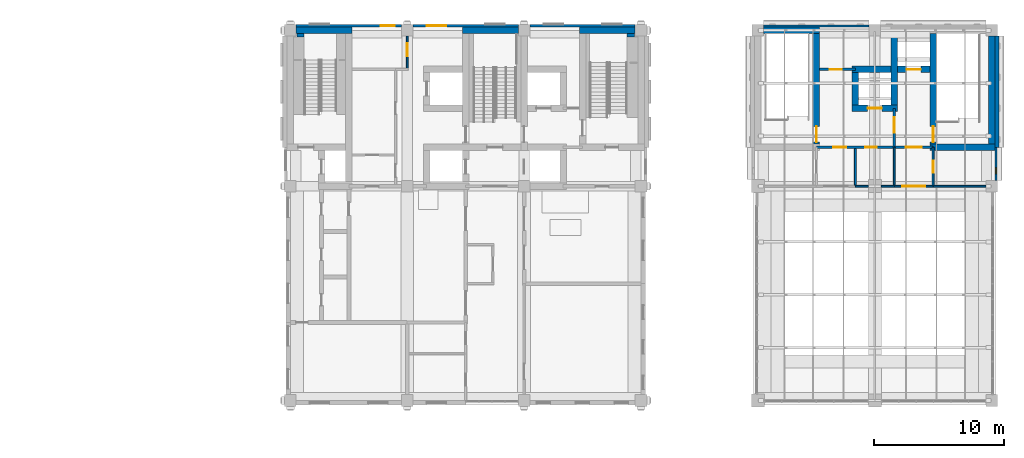
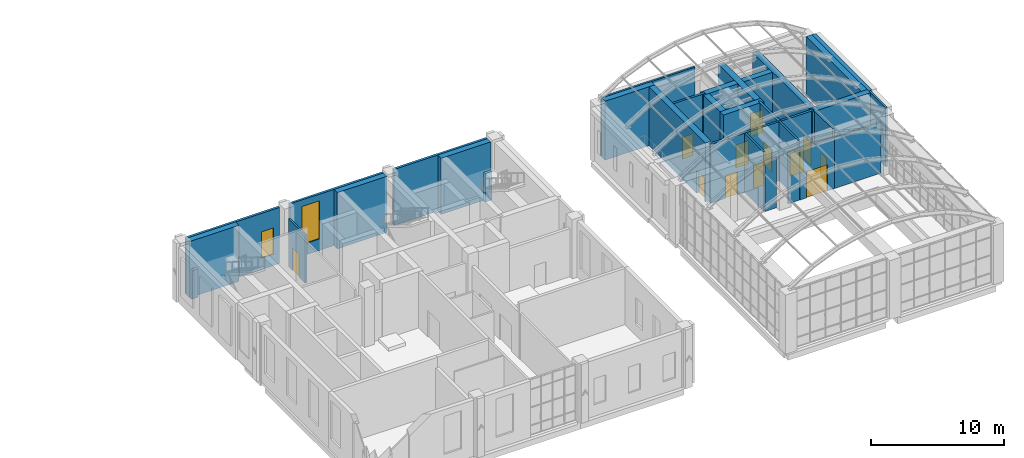
# One storey, part 30 of 39: 32 walls, 12 doors, 3 windows, 15 openings.
"""IFC4 building model written with IfcOpenShell, lengths in metres."""

from ifc_helpers import new_model, si_unit, direction, frame, frame_2d, origin, place, context, subcontext, project, spatial, rectangle, extrude, material, layer, layer_set, type_object, element, fill, save


model = new_model("IFC4")

# Units and contexts
model_context = context("Model", 3, precision=1e-05, world=origin(), true_north=direction((0.0, 1.0)))
body_context = subcontext(model_context, "Body", "Model", "MODEL_VIEW")
ifc_project = project(units=[si_unit("LENGTHUNIT", "METRE"), si_unit("AREAUNIT", "SQUARE_METRE"), si_unit("VOLUMEUNIT", "CUBIC_METRE"), si_unit("PLANEANGLEUNIT", "RADIAN"), si_unit("MASSUNIT", "GRAM", prefix="KILO")], contexts=[model_context])

# Site, building, storey
site_placement = place(None, origin())
site = spatial("IfcSite", under=ifc_project, at=site_placement, CompositionType="ELEMENT")
building_placement = place(site_placement, origin())
building = spatial("IfcBuilding", under=site, at=building_placement, Name="Aurelan Courthouse", CompositionType="ELEMENT")
storey_placement = place(building_placement, frame((0.0, 0.0, 28.199951171875)))
storey = spatial("IfcBuildingStorey", under=building, at=storey_placement, Name="L05", CompositionType="ELEMENT", Elevation=28.199951171875)

# Wall, opening, door
ifc_material_1 = material(Name="Gypsum board on metal studs")
ifc_layer_1 = layer(ifc_material_1, 0.14990234375)
ifc_layer_set_1 = layer_set([ifc_layer_1], Name="Gypsum board on metal studs")
wall_type_1 = type_object("IfcWallType", Name="Corridor partition 150 EI 60", PredefinedType="PARTITIONING", material=ifc_layer_set_1)
wall_1_placement = place(storey_placement, frame((82.5, 54.0, 0.0), z_axis=(0.0, 0.0, 1.0), x_axis=(1.0, 0.0, 0.0)))
wall_1 = element("IfcWall", 1, at=wall_1_placement, inside=storey, type_object=wall_type_1, Name="Corridor partition L05-030", PredefinedType="PARTITIONING", context=body_context, shape_type="SweptSolid", body=[
    extrude(rectangle(XDim=3.0, YDim=0.14990234375, at=frame_2d((1.5, 0.0))), origin(), (0.0, 0.0, 1.0), 4.650146484375),
])
opening_1_placement = place(wall_1_placement, frame((2.400146484375, 0.0, 0.0), z_axis=(0.0, 0.0, 1.0), x_axis=(-1.0, 0.0, 0.0)))
opening_1 = element("IfcOpeningElement", 2, at=opening_1_placement, cuts=wall_1, Name="Opening D-L05-045", PredefinedType="OPENING", context=body_context, shape_type="SweptSolid", body=[
    extrude(rectangle(XDim=1.800048828125, YDim=2.39990234375, at=frame_2d((0.89990234375, 1.199951171875))), frame((0.0, 0.0849609375, 0.0), z_axis=(0.0, -1.0, 0.0), x_axis=(1.0, 0.0, 0.0)), (0.0, 0.0, 1.0), 0.169921875),
])
ifc_material_2 = material(Name="Steel", Category="steel")
door_type_1 = type_object("IfcDoorType", Name="Double door 1800 x 2400 FD60", OperationType="DOUBLE_DOOR_SINGLE_SWING", PredefinedType="DOOR", material=ifc_material_2)
door_1_placement = place(opening_1_placement, origin())
door_1 = element("IfcDoor", 3, at=door_1_placement, inside=storey, type_object=door_type_1, Name="Double door D-L05-045", OperationType="DOUBLE_DOOR_SINGLE_SWING", OverallHeight=2.39990234375, OverallWidth=1.800048828125, PredefinedType="DOOR", context=body_context, shape_type="SweptSolid", body=[
    extrude(rectangle(XDim=1.800048828125, YDim=2.39990234375, at=frame_2d((0.89990234375, 1.199951171875))), frame((0.0, 0.02490234375, 0.0), z_axis=(0.0, -1.0, 0.0), x_axis=(1.0, 0.0, 0.0)), (0.0, 0.0, 1.0), 0.050048828125),
])
fill(opening_1, door_1)

wall_2_placement = place(storey_placement, frame((45.0, 63.074951171875, 0.0), z_axis=(0.0, 0.0, 1.0), x_axis=(0.0, 1.0, 0.0)))
wall_2 = element("IfcWall", 4, at=wall_2_placement, inside=storey, type_object=wall_type_1, Name="Corridor partition L05-054", PredefinedType="PARTITIONING", context=body_context, shape_type="SweptSolid", body=[
    extrude(rectangle(XDim=2.47509765625, YDim=0.14990234375, at=frame_2d((1.237548828125, 0.0))), origin(), (0.0, 0.0, 1.0), 4.400146484375),
])
opening_2_placement = place(wall_2_placement, frame((0.925048828125, 0.0, 0.0)))
opening_2 = element("IfcOpeningElement", 5, at=opening_2_placement, cuts=wall_2, Name="Opening D-L05-029", PredefinedType="OPENING", context=body_context, shape_type="SweptSolid", body=[
    extrude(rectangle(XDim=1.0, YDim=2.10009765625, at=frame_2d((0.5, 1.050048828125))), frame((0.0, 0.0849609375, 0.0), z_axis=(0.0, -1.0, 0.0), x_axis=(1.0, 0.0, 0.0)), (0.0, 0.0, 1.0), 0.169921875),
])
door_type_2 = type_object("IfcDoorType", Name="Single door 1000 x 2100 FD60", OperationType="SINGLE_SWING_LEFT", PredefinedType="DOOR", material=ifc_material_2)
door_2_placement = place(opening_2_placement, origin())
door_2 = element("IfcDoor", 6, at=door_2_placement, inside=storey, type_object=door_type_2, Name="Single door D-L05-029", OperationType="SINGLE_SWING_LEFT", OverallHeight=2.10009765625, OverallWidth=1.0, PredefinedType="DOOR", context=body_context, shape_type="SweptSolid", body=[
    extrude(rectangle(XDim=1.0, YDim=2.10009765625, at=frame_2d((0.5, 1.050048828125))), frame((0.0, 0.02490234375, 0.0), z_axis=(0.0, -1.0, 0.0), x_axis=(1.0, 0.0, 0.0)), (0.0, 0.0, 1.0), 0.050048828125),
])
fill(opening_2, door_2)

# Walls
wall_3_placement = place(storey_placement, frame((79.5, 54.0625, 0.0), z_axis=(0.0, 0.0, 1.0), x_axis=(0.0, 1.0, 0.0)))
element("IfcWall", 7, at=wall_3_placement, inside=storey, type_object=wall_type_1, Name="Corridor partition L05-061", PredefinedType="PARTITIONING", context=body_context, shape_type="SweptSolid", body=[
    extrude(rectangle(XDim=2.83740234375, YDim=0.14990234375, at=frame_2d((1.418701171875, 0.0))), origin(), (0.0, 0.0, 1.0), 5.400146484375),
])
wall_4_placement = place(storey_placement, frame((82.5, 54.0625, 0.0), z_axis=(0.0, 0.0, 1.0), x_axis=(0.0, 1.0, 0.0)))
element("IfcWall", 8, at=wall_4_placement, inside=storey, type_object=wall_type_1, Name="Corridor partition L05-062", PredefinedType="PARTITIONING", context=body_context, shape_type="SweptSolid", body=[
    extrude(rectangle(XDim=2.9375, YDim=0.14990234375, at=frame_2d((1.46875, 0.0))), origin(), (0.0, 0.0, 1.0), 5.400146484375),
])

# Wall, opening, door
wall_5_placement = place(storey_placement, frame((85.5, 54.0625, 0.0), z_axis=(0.0, 0.0, 1.0), x_axis=(0.0, 1.0, 0.0)))
wall_5 = element("IfcWall", 9, at=wall_5_placement, inside=storey, type_object=wall_type_1, Name="Corridor partition L05-064", PredefinedType="PARTITIONING", context=body_context, shape_type="SweptSolid", body=[
    extrude(rectangle(XDim=2.9375, YDim=0.14990234375, at=frame_2d((1.46875, 0.0))), origin(), (0.0, 0.0, 1.0), 5.400146484375),
])
opening_3_placement = place(wall_5_placement, frame((1.887451171875, 0.0, 0.0), z_axis=(0.0, 0.0, 1.0), x_axis=(-1.0, 0.0, 0.0)))
opening_3 = element("IfcOpeningElement", 10, at=opening_3_placement, cuts=wall_5, Name="Opening D-L05-043", PredefinedType="OPENING", context=body_context, shape_type="SweptSolid", body=[
    extrude(rectangle(XDim=0.89990234375, YDim=2.10009765625, at=frame_2d((0.449951171875, 1.050048828125))), frame((0.0, 0.0849609375, 0.0), z_axis=(0.0, -1.0, 0.0), x_axis=(1.0, 0.0, 0.0)), (0.0, 0.0, 1.0), 0.169921875),
])
door_type_3 = type_object("IfcDoorType", Name="Single door 900 x 2100 FD60", OperationType="SINGLE_SWING_LEFT", PredefinedType="DOOR", material=ifc_material_2)
door_3_placement = place(opening_3_placement, origin())
door_3 = element("IfcDoor", 11, at=door_3_placement, inside=storey, type_object=door_type_3, Name="Single door D-L05-043", OperationType="SINGLE_SWING_LEFT", OverallHeight=2.10009765625, OverallWidth=0.89990234375, PredefinedType="DOOR", context=body_context, shape_type="SweptSolid", body=[
    extrude(rectangle(XDim=0.89990234375, YDim=2.10009765625, at=frame_2d((0.449951171875, 1.050048828125))), frame((0.0, 0.02490234375, 0.0), z_axis=(0.0, -1.0, 0.0), x_axis=(1.0, 0.0, 0.0)), (0.0, 0.0, 1.0), 0.050048828125),
])
fill(opening_3, door_3)

# Wall, opening, window
ifc_material_3 = material(Name="Limestone cladding", Category="masonry")
ifc_layer_2 = layer(ifc_material_3, 0.054931640625, Name="Facing")
ifc_material_4 = material(Name="Ventilated cavity")
ifc_layer_3 = layer(ifc_material_4, 0.02490234375, ventilated=True, Name="Ventilated cavity")
ifc_material_5 = material(Name="Mineral wool insulation")
ifc_layer_4 = layer(ifc_material_5, 0.030029296875, Name="Insulation")
ifc_material_6 = material(Name="Concrete C30", Category="concrete")
ifc_layer_5 = layer(ifc_material_6, 0.090087890625, Name="Structure")
ifc_layer_set_2 = layer_set([ifc_layer_2, ifc_layer_3, ifc_layer_4, ifc_layer_5], Name="Concrete C30")
wall_type_2 = type_object("IfcWallType", Name="Courtroom Block stone-faced wall 200", PredefinedType="SOLIDWALL", material=ifc_layer_set_2)
wall_6_placement = place(storey_placement, frame((36.449951171875, 66.35009765625, 0.0), z_axis=(0.0, 0.0, 1.0), x_axis=(1.0, 0.0, 0.0)))
wall_6 = element("IfcWall", 12, at=wall_6_placement, inside=storey, type_object=wall_type_2, Name="Facade wall FW-V2-L05-004", PredefinedType="SOLIDWALL", context=body_context, shape_type="SweptSolid", body=[
    extrude(rectangle(XDim=8.10009765625, YDim=0.199951171875, at=frame_2d((4.050048828125, 0.0))), origin(), (0.0, 0.0, 1.0), 5.150146484375),
])
opening_4_placement = place(wall_6_placement, frame((6.52490234375, 0.0, 1.050048828125)))
opening_4 = element("IfcOpeningElement", 13, at=opening_4_placement, cuts=wall_6, Name="Opening WN-V2-L05-007", PredefinedType="OPENING", context=body_context, shape_type="SweptSolid", body=[
    extrude(rectangle(XDim=1.050048828125, YDim=2.39990234375, at=frame_2d((0.52490234375, 1.199951171875))), frame((0.0, 0.10986328125, 0.0), z_axis=(0.0, -1.0, 0.0), x_axis=(1.0, 0.0, 0.0)), (0.0, 0.0, 1.0), 0.219970703125),
])
ifc_material_7 = material(Name="Bronze-finished aluminium and glass", Category="aluminium")
window_type_1 = type_object("IfcWindowType", Name="Courtroom Block window 1050 x 2400, sill 1050", PartitioningType="SINGLE_PANEL", PredefinedType="WINDOW", material=ifc_material_7)
window_1_placement = place(opening_4_placement, origin())
window_1 = element("IfcWindow", 14, at=window_1_placement, inside=storey, type_object=window_type_1, Name="Window WN-V2-L05-007", OverallHeight=2.39990234375, OverallWidth=1.050048828125, PartitioningType="SINGLE_PANEL", PredefinedType="WINDOW", context=body_context, shape_type="SweptSolid", body=[
    extrude(rectangle(XDim=1.050048828125, YDim=2.39990234375, at=frame_2d((0.52490234375, 1.199951171875))), frame((0.0, 0.030029296875, 0.0), z_axis=(0.0, -1.0, 0.0), x_axis=(1.0, 0.0, 0.0)), (0.0, 0.0, 1.0), 0.06005859375),
])
fill(opening_4, window_1)

wall_7_placement = place(storey_placement, frame((45.449951171875, 66.35009765625, 0.0), z_axis=(0.0, 0.0, 1.0), x_axis=(1.0, 0.0, 0.0)))
wall_7 = element("IfcWall", 15, at=wall_7_placement, inside=storey, type_object=wall_type_2, Name="Facade wall FW-V2-L05-005", PredefinedType="SOLIDWALL", context=body_context, shape_type="SweptSolid", body=[
    extrude(rectangle(XDim=8.10009765625, YDim=0.199951171875, at=frame_2d((4.050048828125, 0.0))), origin(), (0.0, 0.0, 1.0), 5.150146484375),
])
opening_5_placement = place(wall_7_placement, frame((1.050048828125, 0.0, 1.050048828125)))
opening_5 = element("IfcOpeningElement", 16, at=opening_5_placement, cuts=wall_7, Name="Opening WN-V2-L05-008", PredefinedType="OPENING", context=body_context, shape_type="SweptSolid", body=[
    extrude(rectangle(XDim=1.5, YDim=3.5, at=frame_2d((0.75, 1.75))), frame((0.0, 0.10986328125, 0.0), z_axis=(0.0, -1.0, 0.0), x_axis=(1.0, 0.0, 0.0)), (0.0, 0.0, 1.0), 0.219970703125),
])
window_type_2 = type_object("IfcWindowType", Name="Courtroom Block glazed slot 1500 x 3500, sill 1050", PartitioningType="SINGLE_PANEL", PredefinedType="WINDOW", material=ifc_material_7)
window_2_placement = place(opening_5_placement, origin())
window_2 = element("IfcWindow", 17, at=window_2_placement, inside=storey, type_object=window_type_2, Name="Glazed slot WN-V2-L05-008", OverallHeight=3.5, OverallWidth=1.5, PartitioningType="SINGLE_PANEL", PredefinedType="WINDOW", context=body_context, shape_type="SweptSolid", body=[
    extrude(rectangle(XDim=1.5, YDim=3.5, at=frame_2d((0.75, 1.75))), frame((0.0, 0.030029296875, 0.0), z_axis=(0.0, -1.0, 0.0), x_axis=(1.0, 0.0, 0.0)), (0.0, 0.0, 1.0), 0.06005859375),
])
fill(opening_5, window_2)

# Walls
wall_8_placement = place(storey_placement, frame((54.449951171875, 66.35009765625, 0.0), z_axis=(0.0, 0.0, 1.0), x_axis=(1.0, 0.0, 0.0)))
element("IfcWall", 18, at=wall_8_placement, inside=storey, type_object=wall_type_2, Name="Facade wall FW-V2-L05-006", PredefinedType="SOLIDWALL", context=body_context, shape_type="SweptSolid", body=[
    extrude(rectangle(XDim=8.10009765625, YDim=0.199951171875, at=frame_2d((4.050048828125, 0.0))), origin(), (0.0, 0.0, 1.0), 5.150146484375),
])
ifc_layer_6 = layer(ifc_material_3, 0.050048828125, Name="Facing")
ifc_layer_7 = layer(ifc_material_4, 0.02490234375, ventilated=True, Name="Ventilated cavity")
ifc_layer_8 = layer(ifc_material_5, 0.02490234375, Name="Insulation")
ifc_layer_9 = layer(ifc_material_6, 0.070068359375, Name="Structure")
ifc_layer_set_3 = layer_set([ifc_layer_6, ifc_layer_7, ifc_layer_8, ifc_layer_9], Name="Concrete C30")
wall_type_3 = type_object("IfcWallType", Name="Law Library stone-faced wall 170", PredefinedType="SOLIDWALL", material=ifc_layer_set_3)
wall_9_placement = place(storey_placement, frame((72.449951171875, 66.3349609375, 0.0), z_axis=(0.0, 0.0, 1.0), x_axis=(1.0, 0.0, 0.0)))
element("IfcWall", 19, at=wall_9_placement, inside=storey, type_object=wall_type_3, Name="Facade wall FW-V3-L05-001", PredefinedType="SOLIDWALL", context=body_context, shape_type="SweptSolid", body=[
    extrude(rectangle(XDim=8.10009765625, YDim=0.169921875, at=frame_2d((4.050048828125, 0.0))), origin(), (0.0, 0.0, 1.0), 5.400146484375),
])

# Wall, opening, window
wall_10_placement = place(storey_placement, frame((90.3349609375, 54.449951171875, 0.0), z_axis=(0.0, 0.0, 1.0), x_axis=(0.0, 1.0, 0.0)))
wall_10 = element("IfcWall", 20, at=wall_10_placement, inside=storey, type_object=wall_type_3, Name="Facade wall FW-V3-L05-003", PredefinedType="SOLIDWALL", context=body_context, shape_type="SweptSolid", body=[
    extrude(rectangle(XDim=2.550048828125, YDim=0.169921875, at=frame_2d((1.27490234375, 0.0))), origin(), (0.0, 0.0, 1.0), 5.400146484375),
])
opening_6_placement = place(wall_10_placement, frame((0.52490234375, 0.0, 1.5)))
opening_6 = element("IfcOpeningElement", 21, at=opening_6_placement, cuts=wall_10, Name="Opening WN-V3-L05-001", PredefinedType="OPENING", context=body_context, shape_type="SweptSolid", body=[
    extrude(rectangle(XDim=0.449951171875, YDim=2.10009765625, at=frame_2d((0.22509765625, 1.050048828125))), frame((0.0, 0.094970703125, 0.0), z_axis=(0.0, -1.0, 0.0), x_axis=(1.0, 0.0, 0.0)), (0.0, 0.0, 1.0), 0.18994140625),
])
window_type_3 = type_object("IfcWindowType", Name="Law Library slit window 450 x 2100, sill 1500", PartitioningType="SINGLE_PANEL", PredefinedType="WINDOW", material=ifc_material_7)
window_3_placement = place(opening_6_placement, origin())
window_3 = element("IfcWindow", 22, at=window_3_placement, inside=storey, type_object=window_type_3, Name="Slit window WN-V3-L05-001", OverallHeight=2.10009765625, OverallWidth=0.449951171875, PartitioningType="SINGLE_PANEL", PredefinedType="WINDOW", context=body_context, shape_type="SweptSolid", body=[
    extrude(rectangle(XDim=0.449951171875, YDim=2.10009765625, at=frame_2d((0.22509765625, 1.050048828125))), frame((0.0, 0.030029296875, 0.0), z_axis=(0.0, -1.0, 0.0), x_axis=(1.0, 0.0, 0.0)), (0.0, 0.0, 1.0), 0.06005859375),
])
fill(opening_6, window_3)

# Wall
ifc_layer_10 = layer(ifc_material_3, 0.090087890625, Name="Facing")
ifc_layer_11 = layer(ifc_material_4, 0.02490234375, ventilated=True, Name="Ventilated cavity")
ifc_layer_12 = layer(ifc_material_5, 0.044921875, Name="Insulation")
ifc_layer_13 = layer(ifc_material_6, 0.159912109375, Name="Structure")
ifc_layer_set_4 = layer_set([ifc_layer_10, ifc_layer_11, ifc_layer_12, ifc_layer_13], Name="Concrete C30")
wall_type_4 = type_object("IfcWallType", Name="Law Library stone-faced wall 320", PredefinedType="SOLIDWALL", material=ifc_layer_set_4)
wall_11_placement = place(storey_placement, frame((90.409912109375, 57.0, 0.0), z_axis=(0.0, 0.0, 1.0), x_axis=(0.0, 1.0, 0.0)))
element("IfcWall", 23, at=wall_11_placement, inside=storey, type_object=wall_type_4, Name="Facade wall FW-V3-L05-004", PredefinedType="SOLIDWALL", context=body_context, shape_type="SweptSolid", body=[
    extrude(rectangle(XDim=8.550048828125, YDim=0.320068359375, at=frame_2d((4.27490234375, 0.0))), origin(), (0.0, 0.0, 1.0), 5.400146484375),
])

# Wall, openings, doors
ifc_material_8 = material(Name="Masonry block", Category="masonry")
ifc_layer_14 = layer(ifc_material_8, 0.199951171875)
ifc_layer_set_5 = layer_set([ifc_layer_14], Name="Masonry block")
wall_type_5 = type_object("IfcWallType", Name="Lift lobby wall 200 EI 60", PredefinedType="PARTITIONING", material=ifc_layer_set_5)
wall_12_placement = place(storey_placement, frame((76.5, 57.0, 0.0), z_axis=(0.0, 0.0, 1.0), x_axis=(1.0, 0.0, 0.0)))
wall_12 = element("IfcWall", 24, at=wall_12_placement, inside=storey, type_object=wall_type_5, Name="Lift lobby wall L05-034", PredefinedType="PARTITIONING", context=body_context, shape_type="SweptSolid", body=[
    extrude(rectangle(XDim=6.0, YDim=0.199951171875, at=frame_2d((3.0, 0.0))), origin(), (0.0, 0.0, 1.0), 5.400146484375),
])
opening_7_placement = place(wall_12_placement, frame((4.64990234375, 0.0, 0.0), z_axis=(0.0, 0.0, 1.0), x_axis=(-1.0, 0.0, 0.0)))
opening_7 = element("IfcOpeningElement", 25, at=opening_7_placement, cuts=wall_12, Name="Opening D-L05-039", PredefinedType="OPENING", context=body_context, shape_type="SweptSolid", body=[
    extrude(rectangle(XDim=0.89990234375, YDim=2.10009765625, at=frame_2d((0.449951171875, 1.050048828125))), frame((0.0, 0.10986328125, 0.0), z_axis=(0.0, -1.0, 0.0), x_axis=(1.0, 0.0, 0.0)), (0.0, 0.0, 1.0), 0.219970703125),
])
opening_8_placement = place(wall_12_placement, frame((1.300048828125, 0.0, 0.0)))
opening_8 = element("IfcOpeningElement", 26, at=opening_8_placement, cuts=wall_12, Name="Opening D-L05-040", PredefinedType="OPENING", context=body_context, shape_type="SweptSolid", body=[
    extrude(rectangle(XDim=1.0, YDim=2.10009765625, at=frame_2d((0.5, 1.050048828125))), frame((0.0, 0.10986328125, 0.0), z_axis=(0.0, -1.0, 0.0), x_axis=(1.0, 0.0, 0.0)), (0.0, 0.0, 1.0), 0.219970703125),
])
door_4_placement = place(opening_8_placement, origin())
door_4 = element("IfcDoor", 27, at=door_4_placement, inside=storey, type_object=door_type_2, Name="Single door D-L05-040", OperationType="SINGLE_SWING_LEFT", OverallHeight=2.10009765625, OverallWidth=1.0, PredefinedType="DOOR", context=body_context, shape_type="SweptSolid", body=[
    extrude(rectangle(XDim=1.0, YDim=2.10009765625, at=frame_2d((0.5, 1.050048828125))), frame((0.0, 0.02490234375, 0.0), z_axis=(0.0, -1.0, 0.0), x_axis=(1.0, 0.0, 0.0)), (0.0, 0.0, 1.0), 0.050048828125),
])
fill(opening_8, door_4)
door_5_placement = place(opening_7_placement, origin())
door_5 = element("IfcDoor", 28, at=door_5_placement, inside=storey, type_object=door_type_3, Name="Single door D-L05-039", OperationType="SINGLE_SWING_RIGHT", OverallHeight=2.10009765625, OverallWidth=0.89990234375, PredefinedType="DOOR", context=body_context, shape_type="SweptSolid", body=[
    extrude(rectangle(XDim=0.89990234375, YDim=2.10009765625, at=frame_2d((0.449951171875, 1.050048828125))), frame((0.0, 0.02490234375, 0.0), z_axis=(0.0, -1.0, 0.0), x_axis=(1.0, 0.0, 0.0)), (0.0, 0.0, 1.0), 0.050048828125),
])
fill(opening_7, door_5)

# Wall, opening, door
wall_13_placement = place(storey_placement, frame((82.5, 57.0, 0.0), z_axis=(0.0, 0.0, 1.0), x_axis=(1.0, 0.0, 0.0)))
wall_13 = element("IfcWall", 29, at=wall_13_placement, inside=storey, type_object=wall_type_5, Name="Lift lobby wall L05-035", PredefinedType="PARTITIONING", context=body_context, shape_type="SweptSolid", body=[
    extrude(rectangle(XDim=3.0, YDim=0.199951171875, at=frame_2d((1.5, 0.0))), origin(), (0.0, 0.0, 1.0), 5.400146484375),
])
opening_9_placement = place(wall_13_placement, frame((0.89990234375, 0.0, 0.0)))
opening_9 = element("IfcOpeningElement", 30, at=opening_9_placement, cuts=wall_13, Name="Opening D-L05-041", PredefinedType="OPENING", context=body_context, shape_type="SweptSolid", body=[
    extrude(rectangle(XDim=1.199951171875, YDim=2.10009765625, at=frame_2d((0.60009765625, 1.050048828125))), frame((0.0, 0.10986328125, 0.0), z_axis=(0.0, -1.0, 0.0), x_axis=(1.0, 0.0, 0.0)), (0.0, 0.0, 1.0), 0.219970703125),
])
door_type_4 = type_object("IfcDoorType", Name="Single door 1200 x 2100 FD60", OperationType="SINGLE_SWING_LEFT", PredefinedType="DOOR", material=ifc_material_2)
door_6_placement = place(opening_9_placement, origin())
door_6 = element("IfcDoor", 31, at=door_6_placement, inside=storey, type_object=door_type_4, Name="Single door D-L05-041", OperationType="SINGLE_SWING_RIGHT", OverallHeight=2.10009765625, OverallWidth=1.199951171875, PredefinedType="DOOR", context=body_context, shape_type="SweptSolid", body=[
    extrude(rectangle(XDim=1.199951171875, YDim=2.10009765625, at=frame_2d((0.60009765625, 1.050048828125))), frame((0.0, 0.02490234375, 0.0), z_axis=(0.0, -1.0, 0.0), x_axis=(1.0, 0.0, 0.0)), (0.0, 0.0, 1.0), 0.050048828125),
])
fill(opening_9, door_6)

wall_14_placement = place(storey_placement, frame((82.5, 57.0, 0.0), z_axis=(0.0, 0.0, 1.0), x_axis=(0.0, 1.0, 0.0)))
wall_14 = element("IfcWall", 32, at=wall_14_placement, inside=storey, type_object=wall_type_5, Name="Lift lobby wall L05-063", PredefinedType="PARTITIONING", context=body_context, shape_type="SweptSolid", body=[
    extrude(rectangle(XDim=3.0, YDim=0.199951171875, at=frame_2d((1.5, 0.0))), origin(), (0.0, 0.0, 1.0), 5.400146484375),
])
opening_10_placement = place(wall_14_placement, frame((2.300048828125, 0.0, 0.0), z_axis=(0.0, 0.0, 1.0), x_axis=(-1.0, 0.0, 0.0)))
opening_10 = element("IfcOpeningElement", 33, at=opening_10_placement, cuts=wall_14, Name="Opening D-L05-034", PredefinedType="OPENING", context=body_context, shape_type="SweptSolid", body=[
    extrude(rectangle(XDim=1.199951171875, YDim=2.10009765625, at=frame_2d((0.60009765625, 1.050048828125))), frame((0.0, 0.10986328125, 0.0), z_axis=(0.0, -1.0, 0.0), x_axis=(1.0, 0.0, 0.0)), (0.0, 0.0, 1.0), 0.219970703125),
])
door_7_placement = place(opening_10_placement, origin())
door_7 = element("IfcDoor", 34, at=door_7_placement, inside=storey, type_object=door_type_4, Name="Single door D-L05-034", OperationType="SINGLE_SWING_LEFT", OverallHeight=2.10009765625, OverallWidth=1.199951171875, PredefinedType="DOOR", context=body_context, shape_type="SweptSolid", body=[
    extrude(rectangle(XDim=1.199951171875, YDim=2.10009765625, at=frame_2d((0.60009765625, 1.050048828125))), frame((0.0, 0.02490234375, 0.0), z_axis=(0.0, -1.0, 0.0), x_axis=(1.0, 0.0, 0.0)), (0.0, 0.0, 1.0), 0.050048828125),
])
fill(opening_10, door_7)

# Wall
ifc_material_9 = material(Name="Concrete C50", Category="concrete")
ifc_layer_15 = layer(ifc_material_9, 0.5)
ifc_layer_set_6 = layer_set([ifc_layer_15], Name="Concrete C50")
wall_type_6 = type_object("IfcWallType", Name="RC shear wall 500", PredefinedType="SHEAR", material=ifc_layer_set_6)
wall_15_placement = place(storey_placement, frame((85.25, 57.0, 0.0), z_axis=(0.0, 0.0, 1.0), x_axis=(1.0, 0.0, 0.0)))
element("IfcWall", 35, at=wall_15_placement, inside=storey, type_object=wall_type_6, Name="Core wall SW-L05-029", PredefinedType="SHEAR", context=body_context, shape_type="SweptSolid", body=[
    extrude(rectangle(XDim=5.0, YDim=0.5, at=frame_2d((2.5, 0.0))), origin(), (0.0, 0.0, 1.0), 5.400146484375),
])

# Wall, opening, door
wall_16_placement = place(storey_placement, frame((76.5, 57.25, 0.0), z_axis=(0.0, 0.0, 1.0), x_axis=(0.0, 1.0, 0.0)))
wall_16 = element("IfcWall", 36, at=wall_16_placement, inside=storey, type_object=wall_type_6, Name="Core wall SW-L05-034", PredefinedType="SHEAR", context=body_context, shape_type="SweptSolid", body=[
    extrude(rectangle(XDim=8.5, YDim=0.5, at=frame_2d((4.25, 0.0))), origin(), (0.0, 0.0, 1.0), 5.400146484375),
])
opening_11_placement = place(wall_16_placement, frame((0.14990234375, 0.0, 0.0)))
opening_11 = element("IfcOpeningElement", 37, at=opening_11_placement, cuts=wall_16, Name="Opening D-L05-033", PredefinedType="OPENING", context=body_context, shape_type="SweptSolid", body=[
    extrude(rectangle(XDim=1.199951171875, YDim=2.10009765625, at=frame_2d((0.60009765625, 1.050048828125))), frame((0.0, 0.260009765625, 0.0), z_axis=(0.0, -1.0, 0.0), x_axis=(1.0, 0.0, 0.0)), (0.0, 0.0, 1.0), 0.52001953125),
])
door_type_5 = type_object("IfcDoorType", Name="Single door 1200 x 2100 FD90", OperationType="SINGLE_SWING_LEFT", PredefinedType="DOOR", material=ifc_material_2)
door_8_placement = place(opening_11_placement, origin())
door_8 = element("IfcDoor", 38, at=door_8_placement, inside=storey, type_object=door_type_5, Name="Single door D-L05-033", OperationType="SINGLE_SWING_LEFT", OverallHeight=2.10009765625, OverallWidth=1.199951171875, PredefinedType="DOOR", context=body_context, shape_type="SweptSolid", body=[
    extrude(rectangle(XDim=1.199951171875, YDim=2.10009765625, at=frame_2d((0.60009765625, 1.050048828125))), frame((0.0, 0.02490234375, 0.0), z_axis=(0.0, -1.0, 0.0), x_axis=(1.0, 0.0, 0.0)), (0.0, 0.0, 1.0), 0.050048828125),
])
fill(opening_11, door_8)

wall_17_placement = place(storey_placement, frame((85.5, 57.25, 0.0), z_axis=(0.0, 0.0, 1.0), x_axis=(0.0, 1.0, 0.0)))
wall_17 = element("IfcWall", 39, at=wall_17_placement, inside=storey, type_object=wall_type_6, Name="Core wall SW-L05-035", PredefinedType="SHEAR", context=body_context, shape_type="SweptSolid", body=[
    extrude(rectangle(XDim=8.5, YDim=0.5, at=frame_2d((4.25, 0.0))), origin(), (0.0, 0.0, 1.0), 5.400146484375),
])
opening_12_placement = place(wall_17_placement, frame((1.349853515625, 0.0, 0.0), z_axis=(0.0, 0.0, 1.0), x_axis=(-1.0, 0.0, 0.0)))
opening_12 = element("IfcOpeningElement", 40, at=opening_12_placement, cuts=wall_17, Name="Opening D-L05-038", PredefinedType="OPENING", context=body_context, shape_type="SweptSolid", body=[
    extrude(rectangle(XDim=1.199951171875, YDim=2.10009765625, at=frame_2d((0.60009765625, 1.050048828125))), frame((0.0, 0.260009765625, 0.0), z_axis=(0.0, -1.0, 0.0), x_axis=(1.0, 0.0, 0.0)), (0.0, 0.0, 1.0), 0.52001953125),
])
door_9_placement = place(opening_12_placement, origin())
door_9 = element("IfcDoor", 41, at=door_9_placement, inside=storey, type_object=door_type_5, Name="Single door D-L05-038", OperationType="SINGLE_SWING_RIGHT", OverallHeight=2.10009765625, OverallWidth=1.199951171875, PredefinedType="DOOR", context=body_context, shape_type="SweptSolid", body=[
    extrude(rectangle(XDim=1.199951171875, YDim=2.10009765625, at=frame_2d((0.60009765625, 1.050048828125))), frame((0.0, 0.02490234375, 0.0), z_axis=(0.0, -1.0, 0.0), x_axis=(1.0, 0.0, 0.0)), (0.0, 0.0, 1.0), 0.050048828125),
])
fill(opening_12, door_9)

# Wall
wall_18_placement = place(storey_placement, frame((90.0, 57.25, 0.0), z_axis=(0.0, 0.0, 1.0), x_axis=(0.0, 1.0, 0.0)))
element("IfcWall", 42, at=wall_18_placement, inside=storey, type_object=wall_type_6, Name="Core wall SW-L05-036", PredefinedType="SHEAR", context=body_context, shape_type="SweptSolid", body=[
    extrude(rectangle(XDim=8.300048828125, YDim=0.5, at=frame_2d((4.14990234375, 0.0))), origin(), (0.0, 0.0, 1.0), 5.400146484375),
])

# Wall, opening, door
wall_19_placement = place(storey_placement, frame((79.25, 60.0, 0.0), z_axis=(0.0, 0.0, 1.0), x_axis=(1.0, 0.0, 0.0)))
wall_19 = element("IfcWall", 43, at=wall_19_placement, inside=storey, type_object=wall_type_6, Name="Core wall SW-L05-039", PredefinedType="SHEAR", context=body_context, shape_type="SweptSolid", body=[
    extrude(rectangle(XDim=3.5, YDim=0.5, at=frame_2d((1.75, 0.0))), origin(), (0.0, 0.0, 1.0), 5.400146484375),
])
opening_13_placement = place(wall_19_placement, frame((1.199951171875, 0.0, 0.0)))
opening_13 = element("IfcOpeningElement", 44, at=opening_13_placement, cuts=wall_19, Name="Opening LD-V3-P1-L05", PredefinedType="OPENING", context=body_context, shape_type="SweptSolid", body=[
    extrude(rectangle(XDim=1.10009765625, YDim=2.10009765625, at=frame_2d((0.550048828125, 1.050048828125))), frame((0.0, 0.260009765625, 0.0), z_axis=(0.0, -1.0, 0.0), x_axis=(1.0, 0.0, 0.0)), (0.0, 0.0, 1.0), 0.52001953125),
])
door_type_6 = type_object("IfcDoorType", Name="Lift landing door 1100 x 2100 FD90", OperationType="SLIDING_TO_LEFT", PredefinedType="DOOR", material=ifc_material_2)
door_10_placement = place(opening_13_placement, origin())
door_10 = element("IfcDoor", 45, at=door_10_placement, inside=storey, type_object=door_type_6, Name="Lift landing door LD-V3-P1-L05", OperationType="SLIDING_TO_LEFT", OverallHeight=2.10009765625, OverallWidth=1.10009765625, PredefinedType="DOOR", context=body_context, shape_type="SweptSolid", body=[
    extrude(rectangle(XDim=1.10009765625, YDim=2.10009765625, at=frame_2d((0.550048828125, 1.050048828125))), frame((0.0, 0.02490234375, 0.0), z_axis=(0.0, -1.0, 0.0), x_axis=(1.0, 0.0, 0.0)), (0.0, 0.0, 1.0), 0.050048828125),
])
fill(opening_13, door_10)

# Walls
wall_20_placement = place(storey_placement, frame((79.5, 60.25, 0.0), z_axis=(0.0, 0.0, 1.0), x_axis=(0.0, 1.0, 0.0)))
element("IfcWall", 46, at=wall_20_placement, inside=storey, type_object=wall_type_6, Name="Core wall SW-L05-042", PredefinedType="SHEAR", context=body_context, shape_type="SweptSolid", body=[
    extrude(rectangle(XDim=2.5, YDim=0.5, at=frame_2d((1.25, 0.0))), origin(), (0.0, 0.0, 1.0), 5.400146484375),
])
wall_21_placement = place(storey_placement, frame((82.5, 60.25, 0.0), z_axis=(0.0, 0.0, 1.0), x_axis=(0.0, 1.0, 0.0)))
element("IfcWall", 47, at=wall_21_placement, inside=storey, type_object=wall_type_6, Name="Core wall SW-L05-043", PredefinedType="SHEAR", context=body_context, shape_type="SweptSolid", body=[
    extrude(rectangle(XDim=5.5, YDim=0.5, at=frame_2d((2.75, 0.0))), origin(), (0.0, 0.0, 1.0), 5.400146484375),
])

# Wall, opening, door
wall_22_placement = place(storey_placement, frame((79.25, 63.0, 0.0), z_axis=(0.0, 0.0, 1.0), x_axis=(1.0, 0.0, 0.0)))
wall_22 = element("IfcWall", 48, at=wall_22_placement, inside=storey, type_object=wall_type_6, Name="Core wall SW-L05-046", PredefinedType="SHEAR", context=body_context, shape_type="SweptSolid", body=[
    extrude(rectangle(XDim=6.0, YDim=0.5, at=frame_2d((3.0, 0.0))), origin(), (0.0, 0.0, 1.0), 5.400146484375),
])
opening_14_placement = place(wall_22_placement, frame((4.199951171875, 0.0, 0.0)))
opening_14 = element("IfcOpeningElement", 49, at=opening_14_placement, cuts=wall_22, Name="Opening LD-V3-F1-L05", PredefinedType="OPENING", context=body_context, shape_type="SweptSolid", body=[
    extrude(rectangle(XDim=1.10009765625, YDim=2.10009765625, at=frame_2d((0.550048828125, 1.050048828125))), frame((0.0, 0.260009765625, 0.0), z_axis=(0.0, -1.0, 0.0), x_axis=(1.0, 0.0, 0.0)), (0.0, 0.0, 1.0), 0.52001953125),
])
door_11_placement = place(opening_14_placement, origin())
door_11 = element("IfcDoor", 50, at=door_11_placement, inside=storey, type_object=door_type_6, Name="Lift landing door LD-V3-F1-L05", OperationType="SLIDING_TO_LEFT", OverallHeight=2.10009765625, OverallWidth=1.10009765625, PredefinedType="DOOR", context=body_context, shape_type="SweptSolid", body=[
    extrude(rectangle(XDim=1.10009765625, YDim=2.10009765625, at=frame_2d((0.550048828125, 1.050048828125))), frame((0.0, 0.02490234375, 0.0), z_axis=(0.0, -1.0, 0.0), x_axis=(1.0, 0.0, 0.0)), (0.0, 0.0, 1.0), 0.050048828125),
])
fill(opening_14, door_11)

# Walls
for number, where, z_axis, x_axis, name in (
    (51, (36.449951171875, 66.0, 0.0), (0.0, 0.0, 1.0), (1.0, 0.0, 0.0), "Core wall SW-L05-047"),
    (52, (49.25, 66.0, 0.0), (0.0, 0.0, 1.0), (1.0, 0.0, 0.0), "Core wall SW-L05-048"),
    (53, (58.25, 66.0, 0.0), (0.0, 0.0, 1.0), (1.0, 0.0, 0.0), "Core wall SW-L05-049"),
):
    element("IfcWall", number, at=place(storey_placement, frame(where, z_axis=z_axis, x_axis=x_axis)), inside=storey, type_object=wall_type_6, Name=name, PredefinedType="SHEAR", context=body_context, shape_type="SweptSolid", body=[
        extrude(rectangle(XDim=4.300048828125, YDim=0.5, at=frame_2d((2.14990234375, 0.0))), origin(), (0.0, 0.0, 1.0), 5.150146484375),
    ])
wall_23_placement = place(storey_placement, frame((72.449951171875, 66.0, 0.0), z_axis=(0.0, 0.0, 1.0), x_axis=(1.0, 0.0, 0.0)))
element("IfcWall", 54, at=wall_23_placement, inside=storey, type_object=wall_type_6, Name="Core wall SW-L05-050", PredefinedType="SHEAR", context=body_context, shape_type="SweptSolid", body=[
    extrude(rectangle(XDim=4.300048828125, YDim=0.5, at=frame_2d((2.14990234375, 0.0))), origin(), (0.0, 0.0, 1.0), 5.400146484375),
])

# Wall, opening, door
ifc_layer_16 = layer(ifc_material_6, 0.199951171875)
ifc_layer_set_7 = layer_set([ifc_layer_16], Name="Concrete C30")
wall_type_7 = type_object("IfcWallType", Name="Shaft wall 200 EI 120 load-bearing", PredefinedType="SHEAR", material=ifc_layer_set_7)
wall_24_placement = place(storey_placement, frame((76.75, 63.0, 0.0), z_axis=(0.0, 0.0, 1.0), x_axis=(1.0, 0.0, 0.0)))
wall_24 = element("IfcWall", 55, at=wall_24_placement, inside=storey, type_object=wall_type_7, Name="Shaft wall L05-039", PredefinedType="SHEAR", context=body_context, shape_type="SweptSolid", body=[
    extrude(rectangle(XDim=2.75, YDim=0.199951171875, at=frame_2d((1.375, 0.0))), origin(), (0.0, 0.0, 1.0), 5.400146484375),
])
opening_15_placement = place(wall_24_placement, frame((0.800048828125, 0.0, 0.0)))
opening_15 = element("IfcOpeningElement", 56, at=opening_15_placement, cuts=wall_24, Name="Opening D-L05-036", PredefinedType="OPENING", context=body_context, shape_type="SweptSolid", body=[
    extrude(rectangle(XDim=0.89990234375, YDim=2.0, at=frame_2d((0.449951171875, 1.0))), frame((0.0, 0.10986328125, 0.0), z_axis=(0.0, -1.0, 0.0), x_axis=(1.0, 0.0, 0.0)), (0.0, 0.0, 1.0), 0.219970703125),
])
door_type_7 = type_object("IfcDoorType", Name="Single door 900 x 2000 FD90", OperationType="SINGLE_SWING_LEFT", PredefinedType="DOOR", material=ifc_material_2)
door_12_placement = place(opening_15_placement, origin())
door_12 = element("IfcDoor", 57, at=door_12_placement, inside=storey, type_object=door_type_7, Name="Single door D-L05-036", OperationType="SINGLE_SWING_LEFT", OverallHeight=2.0, OverallWidth=0.89990234375, PredefinedType="DOOR", context=body_context, shape_type="SweptSolid", body=[
    extrude(rectangle(XDim=0.89990234375, YDim=2.0, at=frame_2d((0.449951171875, 1.0))), frame((0.0, 0.02490234375, 0.0), z_axis=(0.0, -1.0, 0.0), x_axis=(1.0, 0.0, 0.0)), (0.0, 0.0, 1.0), 0.050048828125),
])
fill(opening_15, door_12)

# Walls
ifc_layer_17 = layer(ifc_material_6, 0.56005859375)
ifc_layer_set_8 = layer_set([ifc_layer_17], Name="Concrete C30")
wall_type_8 = type_object("IfcWallType", Name="Stair well wall 560 EI 120 load-bearing", PredefinedType="SHEAR", material=ifc_layer_set_8)
for number, where, z_axis, x_axis, name in (
    (58, (36.780029296875, 65.5, 0.0), (0.0, 0.0, 1.0), (0.0, 1.0, 0.0), "Stair well wall CS-2-L05 A2"),
    (59, (62.219970703125, 65.5, 0.0), (0.0, 0.0, 1.0), (0.0, 1.0, 0.0), "Stair well wall ST-2E-L05 B2"),
):
    element("IfcWall", number, at=place(storey_placement, frame(where, z_axis=z_axis, x_axis=x_axis)), inside=storey, type_object=wall_type_8, Name=name, PredefinedType="SHEAR", context=body_context, shape_type="SweptSolid", body=[
        extrude(rectangle(XDim=0.25, YDim=0.56005859375, at=frame_2d((0.125, 0.0))), origin(), (0.0, 0.0, 1.0), 2.587158203125),
    ])
ifc_material_10 = material(Name="Moisture-resistant board on metal studs")
ifc_layer_18 = layer(ifc_material_10, 0.125)
ifc_layer_set_9 = layer_set([ifc_layer_18], Name="Moisture-resistant board on metal studs")
wall_type_9 = type_object("IfcWallType", Name="Wet-area partition 125 NOT RATED", PredefinedType="PARTITIONING", material=ifc_layer_set_9)
for number, where, z_axis, x_axis, name in (
    (60, (79.5, 54.0, 0.0), (0.0, 0.0, 1.0), (1.0, 0.0, 0.0), "Wet-area partition L05-028"),
    (61, (81.5, 54.0, 0.0), (0.0, 0.0, 1.0), (1.0, 0.0, 0.0), "Wet-area partition L05-029"),
):
    element("IfcWall", number, at=place(storey_placement, frame(where, z_axis=z_axis, x_axis=x_axis)), inside=storey, type_object=wall_type_9, Name=name, PredefinedType="PARTITIONING", context=body_context, shape_type="SweptSolid", body=[
        extrude(rectangle(XDim=1.0, YDim=0.125, at=frame_2d((0.5, 0.0))), origin(), (0.0, 0.0, 1.0), 4.650146484375),
    ])
wall_25_placement = place(storey_placement, frame((85.5, 54.0, 0.0), z_axis=(0.0, 0.0, 1.0), x_axis=(1.0, 0.0, 0.0)))
element("IfcWall", 62, at=wall_25_placement, inside=storey, type_object=wall_type_9, Name="Wet-area partition L05-031", PredefinedType="PARTITIONING", context=body_context, shape_type="SweptSolid", body=[
    extrude(rectangle(XDim=4.050048828125, YDim=0.125, at=frame_2d((2.02490234375, 0.0))), origin(), (0.0, 0.0, 1.0), 4.650146484375),
])

save(model, "model.ifc")
